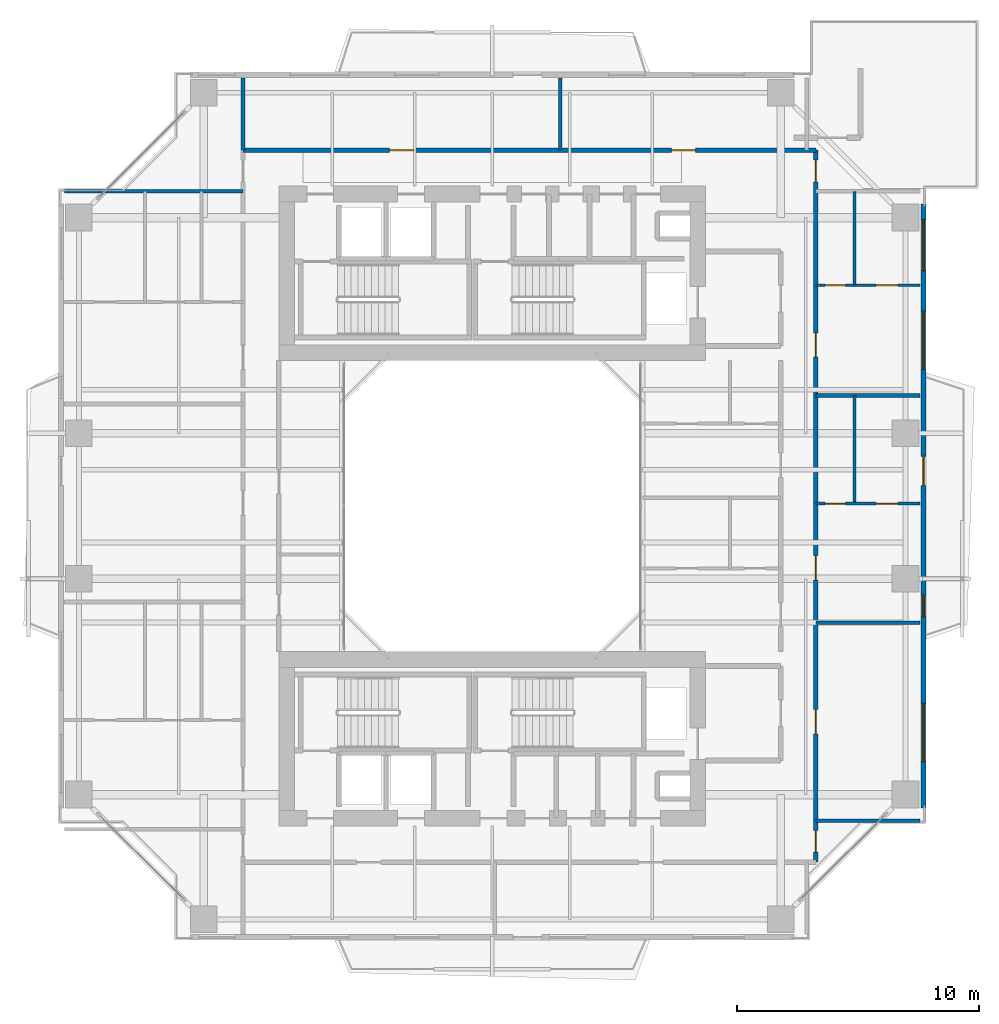
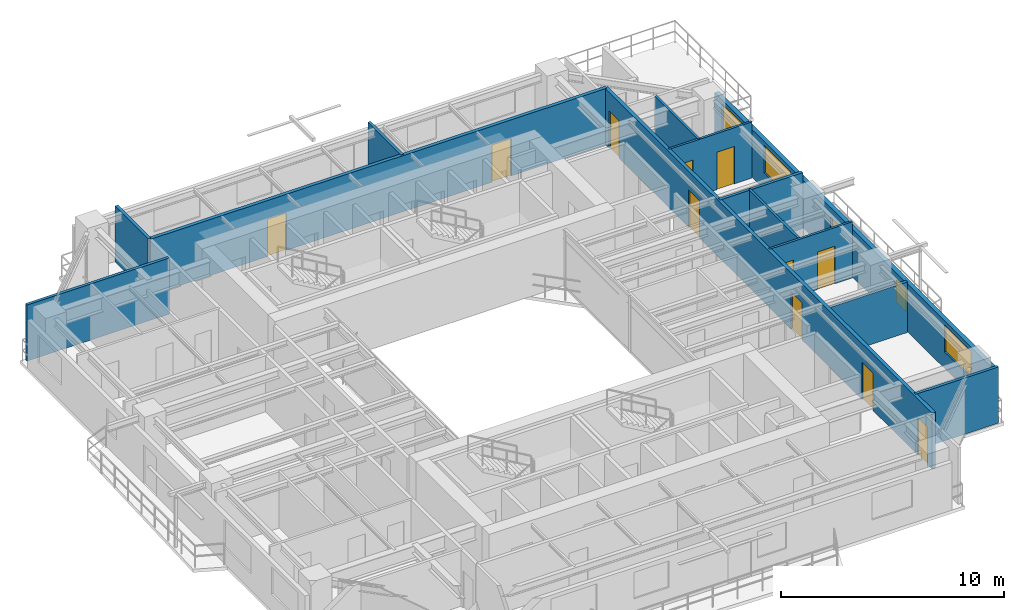
# One storey, part 13 of 17: 13 walls, 12 doors, 4 windows, 16 openings.
"""IFC4 building model written with IfcOpenShell, lengths in metres."""

from ifc_helpers import new_model, si_unit, direction, frame, frame_2d, origin, place, context, subcontext, project, spatial, rectangle, extrude, source, transform, mapped, material, layer, layer_set, type_object, element, fill, save


model = new_model("IFC4")

# Units and contexts
model_context = context("Model", 3, precision=1e-05, world=origin(), true_north=direction((0.0, 1.0)))
body_context = subcontext(model_context, "Body", "Model", "MODEL_VIEW")
ifc_project = project(units=[si_unit("LENGTHUNIT", "METRE"), si_unit("AREAUNIT", "SQUARE_METRE"), si_unit("VOLUMEUNIT", "CUBIC_METRE"), si_unit("PLANEANGLEUNIT", "RADIAN"), si_unit("MASSUNIT", "GRAM", prefix="KILO"), si_unit("THERMODYNAMICTEMPERATUREUNIT", "KELVIN"), si_unit("POWERUNIT", "WATT")], contexts=[model_context])

# Site, building, storey
site_placement = place(None, origin())
site = spatial("IfcSite", under=ifc_project, at=site_placement, CompositionType="ELEMENT")
building_placement = place(site_placement, origin())
building = spatial("IfcBuilding", under=site, at=building_placement, Name="Qiaomeng Ring Towers", CompositionType="ELEMENT")
storey_placement = place(building_placement, frame((0.0, 0.0, 123.0)))
storey = spatial("IfcBuildingStorey", under=building, at=storey_placement, Name="L35", CompositionType="ELEMENT", Elevation=123.0)

# Wall, openings, windows, door
ifc_material_1 = material(Name="Precast concrete C40", Category="concrete")
ifc_layer_1 = layer(ifc_material_1, 0.219970703125, Name="Precast concrete C40")
ifc_layer_set_1 = layer_set([ifc_layer_1], Name="Precast concrete C40")
wall_type_1 = type_object("IfcWallType", Name="ARC-WL-EW2", PredefinedType="STANDARD", material=ifc_layer_set_1)
wall_1_placement = place(storey_placement, frame((36.7900390625, 10.550048828125, 0.0), z_axis=(0.0, 0.0, 1.0), x_axis=(0.0, 1.0, 0.0)))
wall_1 = element("IfcWall", 1, at=wall_1_placement, inside=storey, type_object=wall_type_1, Name="L35 Tower 1 E Exterior Wall", PredefinedType="STANDARD", context=body_context, shape_type="SweptSolid", body=[
    extrude(rectangle(XDim=24.89990234375, YDim=0.219970703125, at=frame_2d((12.449951171875, 0.0))), origin(), (0.0, 0.0, 1.0), 2.610107421875),
])
opening_1_placement = place(wall_1_placement, frame((13.300048828125, 0.0, 0.0)))
opening_1 = element("IfcOpeningElement", 2, at=opening_1_placement, cuts=wall_1, Name="Opening BD1", PredefinedType="OPENING", context=body_context, shape_type="SweptSolid", body=[
    extrude(rectangle(XDim=1.199951171875, YDim=2.10009765625, at=frame_2d((0.60009765625, 1.050048828125))), frame((0.0, 0.119873046875, 0.0), z_axis=(0.0, -1.0, 0.0), x_axis=(1.0, 0.0, 0.0)), (0.0, 0.0, 1.0), 0.239990234375),
])
opening_2_placement = place(wall_1_placement, frame((1.912109375, 0.0, 0.89990234375)))
opening_2 = element("IfcOpeningElement", 3, at=opening_2_placement, cuts=wall_1, Name="Opening WN6", PredefinedType="OPENING", context=body_context, shape_type="SweptSolid", body=[
    extrude(rectangle(XDim=2.39990234375, YDim=1.47998046875, at=frame_2d((1.199951171875, 0.739990234375))), frame((0.0, 0.119873046875, 0.0), z_axis=(0.0, -1.0, 0.0), x_axis=(1.0, 0.0, 0.0)), (0.0, 0.0, 1.0), 0.239990234375),
])
opening_3_placement = place(wall_1_placement, frame((22.1650390625, 0.0, 0.89990234375)))
opening_3 = element("IfcOpeningElement", 4, at=opening_3_placement, cuts=wall_1, Name="Opening WN4", PredefinedType="OPENING", context=body_context, shape_type="SweptSolid", body=[
    extrude(rectangle(XDim=2.10009765625, YDim=1.5, at=frame_2d((1.050048828125, 0.75))), frame((0.0, 0.119873046875, 0.0), z_axis=(0.0, -1.0, 0.0), x_axis=(1.0, 0.0, 0.0)), (0.0, 0.0, 1.0), 0.239990234375),
])
opening_4_placement = place(wall_1_placement, frame((18.092529296875, 0.0, 0.89990234375)))
opening_4 = element("IfcOpeningElement", 5, at=opening_4_placement, cuts=wall_1, Name="Opening WN6", PredefinedType="OPENING", context=body_context, shape_type="SweptSolid", body=[
    extrude(rectangle(XDim=2.39990234375, YDim=1.5, at=frame_2d((1.199951171875, 0.75))), frame((0.0, 0.119873046875, 0.0), z_axis=(0.0, -1.0, 0.0), x_axis=(1.0, 0.0, 0.0)), (0.0, 0.0, 1.0), 0.239990234375),
])
opening_5_placement = place(wall_1_placement, frame((7.875, 0.0, 0.89990234375)))
opening_5 = element("IfcOpeningElement", 6, at=opening_5_placement, cuts=wall_1, Name="Opening WN5", PredefinedType="OPENING", context=body_context, shape_type="SweptSolid", body=[
    extrude(rectangle(XDim=0.89990234375, YDim=1.199951171875, at=frame_2d((0.449951171875, 0.60009765625))), frame((0.0, 0.119873046875, 0.0), z_axis=(0.0, -1.0, 0.0), x_axis=(1.0, 0.0, 0.0)), (0.0, 0.0, 1.0), 0.239990234375),
])
ifc_material_2 = material(Name="Low-E dark-grey laminated double glazing", Category="glass")
window_type_1 = type_object("IfcWindowType", Name="ARC-WN-4", PartitioningType="TRIPLE_PANEL_VERTICAL", PredefinedType="WINDOW", material=ifc_material_2)
shared_shape_1 = source(origin(), body_context, "Body", "SweptSolid", [
    extrude(rectangle(XDim=2.10009765625, YDim=1.5, at=frame_2d((1.050048828125, 0.75))), frame((0.0, 0.030029296875, 0.0), z_axis=(0.0, -1.0, 0.0), x_axis=(1.0, 0.0, 0.0)), (0.0, 0.0, 1.0), 0.06005859375),
])
window_1_placement = place(opening_3_placement, origin())
window_1 = element("IfcWindow", 7, at=window_1_placement, inside=storey, type_object=window_type_1, Name="L35 Exterior Window WN4", OverallHeight=1.5, OverallWidth=2.10009765625, PartitioningType="TRIPLE_PANEL_VERTICAL", PredefinedType="WINDOW", context=body_context, shape_type="MappedRepresentation", body=[
    mapped(shared_shape_1, transform((0.0, 0.0, 0.0), x_axis=(1.0, 0.0, 0.0), y_axis=(0.0, 1.0, 0.0), z_axis=(0.0, 0.0, 1.0), scale=1.0)),
])
fill(opening_3, window_1)
window_type_2 = type_object("IfcWindowType", Name="ARC-WN-6", PartitioningType="TRIPLE_PANEL_VERTICAL", PredefinedType="WINDOW", material=ifc_material_2)
shared_shape_2 = source(origin(), body_context, "Body", "SweptSolid", [
    extrude(rectangle(XDim=2.39990234375, YDim=1.47998046875, at=frame_2d((1.199951171875, 0.739990234375))), frame((0.0, 0.030029296875, 0.0), z_axis=(0.0, -1.0, 0.0), x_axis=(1.0, 0.0, 0.0)), (0.0, 0.0, 1.0), 0.06005859375),
])
window_2_placement = place(opening_2_placement, origin())
window_2 = element("IfcWindow", 8, at=window_2_placement, inside=storey, type_object=window_type_2, Name="L35 Exterior Window WN6", OverallHeight=1.47998046875, OverallWidth=2.39990234375, PartitioningType="TRIPLE_PANEL_VERTICAL", PredefinedType="WINDOW", context=body_context, shape_type="MappedRepresentation", body=[
    mapped(shared_shape_2, transform((0.0, 0.0, 0.0), x_axis=(1.0, 0.0, 0.0), y_axis=(0.0, 1.0, 0.0), z_axis=(0.0, 0.0, 1.0), scale=1.0)),
])
fill(opening_2, window_2)
door_type_1 = type_object("IfcDoorType", Name="ARC-DR-BD1", OperationType="NOTDEFINED", PredefinedType="DOOR", material=ifc_material_2)
shared_shape_3 = source(origin(), body_context, "Body", "SweptSolid", [
    extrude(rectangle(XDim=1.199951171875, YDim=2.10009765625, at=frame_2d((0.60009765625, 1.050048828125))), frame((0.0, 0.02490234375, 0.0), z_axis=(0.0, -1.0, 0.0), x_axis=(1.0, 0.0, 0.0)), (0.0, 0.0, 1.0), 0.050048828125),
])
door_1_placement = place(opening_1_placement, origin())
door_1 = element("IfcDoor", 9, at=door_1_placement, inside=storey, type_object=door_type_1, Name="L35 E Balcony Glazed Door", OperationType="SINGLE_SWING_LEFT", OverallHeight=2.10009765625, OverallWidth=1.199951171875, PredefinedType="DOOR", context=body_context, shape_type="MappedRepresentation", body=[
    mapped(shared_shape_3, transform((0.0, 0.0, 0.0), x_axis=(1.0, 0.0, 0.0), y_axis=(0.0, 1.0, 0.0), z_axis=(0.0, 0.0, 1.0), scale=1.0)),
])
fill(opening_1, door_1)
shared_shape_4 = source(origin(), body_context, "Body", "SweptSolid", [
    extrude(rectangle(XDim=2.39990234375, YDim=1.5, at=frame_2d((1.199951171875, 0.75))), frame((0.0, 0.030029296875, 0.0), z_axis=(0.0, -1.0, 0.0), x_axis=(1.0, 0.0, 0.0)), (0.0, 0.0, 1.0), 0.06005859375),
])
window_3_placement = place(opening_4_placement, origin())
window_3 = element("IfcWindow", 10, at=window_3_placement, inside=storey, type_object=window_type_2, Name="L35 Exterior Window WN6", OverallHeight=1.5, OverallWidth=2.39990234375, PartitioningType="TRIPLE_PANEL_VERTICAL", PredefinedType="WINDOW", context=body_context, shape_type="MappedRepresentation", body=[
    mapped(shared_shape_4, transform((0.0, 0.0, 0.0), x_axis=(1.0, 0.0, 0.0), y_axis=(0.0, 1.0, 0.0), z_axis=(0.0, 0.0, 1.0), scale=1.0)),
])
fill(opening_4, window_3)
window_type_3 = type_object("IfcWindowType", Name="ARC-WN-5", PartitioningType="SINGLE_PANEL", PredefinedType="WINDOW", material=ifc_material_2)
shared_shape_5 = source(origin(), body_context, "Body", "SweptSolid", [
    extrude(rectangle(XDim=0.89990234375, YDim=1.199951171875, at=frame_2d((0.449951171875, 0.60009765625))), frame((0.0, 0.030029296875, 0.0), z_axis=(0.0, -1.0, 0.0), x_axis=(1.0, 0.0, 0.0)), (0.0, 0.0, 1.0), 0.06005859375),
])
window_4_placement = place(opening_5_placement, origin())
window_4 = element("IfcWindow", 11, at=window_4_placement, inside=storey, type_object=window_type_3, Name="L35 Exterior Window WN5", OverallHeight=1.199951171875, OverallWidth=0.89990234375, PartitioningType="SINGLE_PANEL", PredefinedType="WINDOW", context=body_context, shape_type="MappedRepresentation", body=[
    mapped(shared_shape_5, transform((0.0, 0.0, 0.0), x_axis=(1.0, 0.0, 0.0), y_axis=(0.0, 1.0, 0.0), z_axis=(0.0, 0.0, 1.0), scale=1.0)),
])
fill(opening_5, window_4)

# Wall, openings, doors
ifc_material_3 = material(Name="Autoclaved aerated concrete block", Category="concrete")
ifc_layer_2 = layer(ifc_material_3, 0.179931640625, Name="Autoclaved aerated concrete block")
ifc_layer_set_2 = layer_set([ifc_layer_2], Name="Autoclaved aerated concrete block")
wall_type_2 = type_object("IfcWallType", Name="ARC-WL-PW2", PredefinedType="PARTITIONING", material=ifc_layer_set_2)
wall_2_placement = place(storey_placement, frame((8.719970703125, 37.679931640625, 0.0), z_axis=(0.0, 0.0, 1.0), x_axis=(1.0, 0.0, 0.0)))
wall_2 = element("IfcWall", 12, at=wall_2_placement, inside=storey, type_object=wall_type_2, Name="L35 Interior Wall PW2", PredefinedType="PARTITIONING", context=body_context, shape_type="SweptSolid", body=[
    extrude(rectangle(XDim=23.630126953125, YDim=0.179931640625, at=frame_2d((11.81494140625, 0.0))), origin(), (0.0, 0.0, 1.0), 3.070068359375),
])
opening_6_placement = place(wall_2_placement, frame((6.0400390625, 0.0, 0.0)))
opening_6 = element("IfcOpeningElement", 13, at=opening_6_placement, cuts=wall_2, Name="Opening FD4", PredefinedType="OPENING", context=body_context, shape_type="SweptSolid", body=[
    extrude(rectangle(XDim=1.0, YDim=2.050048828125, at=frame_2d((0.5, 1.02490234375))), frame((0.0, 0.099853515625, 0.0), z_axis=(0.0, -1.0, 0.0), x_axis=(1.0, 0.0, 0.0)), (0.0, 0.0, 1.0), 0.199951171875),
])
opening_7_placement = place(wall_2_placement, frame((17.669921875, 0.0, 0.0)))
opening_7 = element("IfcOpeningElement", 14, at=opening_7_placement, cuts=wall_2, Name="Opening FD4", PredefinedType="OPENING", context=body_context, shape_type="SweptSolid", body=[
    extrude(rectangle(XDim=1.0, YDim=2.050048828125, at=frame_2d((0.5, 1.02490234375))), frame((0.0, 0.099853515625, 0.0), z_axis=(0.0, -1.0, 0.0), x_axis=(1.0, 0.0, 0.0)), (0.0, 0.0, 1.0), 0.199951171875),
])
ifc_material_4 = material(Name="Engineered fire-rated oak timber", Category="wood")
door_type_2 = type_object("IfcDoorType", Name="ARC-DR-FD4", OperationType="NOTDEFINED", PredefinedType="DOOR", material=ifc_material_4)
shared_shape_6 = source(origin(), body_context, "Body", "SweptSolid", [
    extrude(rectangle(XDim=1.0, YDim=2.050048828125, at=frame_2d((0.5, 1.02490234375))), frame((0.0, 0.02490234375, 0.0), z_axis=(0.0, -1.0, 0.0), x_axis=(1.0, 0.0, 0.0)), (0.0, 0.0, 1.0), 0.050048828125),
])
door_2_placement = place(opening_6_placement, origin())
door_2 = element("IfcDoor", 15, at=door_2_placement, inside=storey, type_object=door_type_2, Name="L35 Door FD4", OperationType="SINGLE_SWING_RIGHT", OverallHeight=2.050048828125, OverallWidth=1.0, PredefinedType="DOOR", context=body_context, shape_type="MappedRepresentation", body=[
    mapped(shared_shape_6, transform((0.0, 0.0, 0.0), x_axis=(1.0, 0.0, 0.0), y_axis=(0.0, 1.0, 0.0), z_axis=(0.0, 0.0, 1.0), scale=1.0)),
])
fill(opening_6, door_2)
door_3_placement = place(opening_7_placement, origin())
door_3 = element("IfcDoor", 16, at=door_3_placement, inside=storey, type_object=door_type_2, Name="L35 Door FD4", OperationType="SINGLE_SWING_LEFT", OverallHeight=2.050048828125, OverallWidth=1.0, PredefinedType="DOOR", context=body_context, shape_type="MappedRepresentation", body=[
    mapped(shared_shape_6, transform((0.0, 0.0, 0.0), x_axis=(1.0, 0.0, 0.0), y_axis=(0.0, 1.0, 0.0), z_axis=(0.0, 0.0, 1.0), scale=1.0)),
])
fill(opening_7, door_3)

wall_3_placement = place(storey_placement, frame((32.35009765625, 8.31005859375, 0.0), z_axis=(0.0, 0.0, 1.0), x_axis=(0.0, 1.0, 0.0)))
wall_3 = element("IfcWall", 17, at=wall_3_placement, inside=storey, type_object=wall_type_2, Name="L35 Interior Wall PW2", PredefinedType="PARTITIONING", context=body_context, shape_type="SweptSolid", body=[
    extrude(rectangle(XDim=29.369873046875, YDim=0.179931640625, at=frame_2d((14.68505859375, 0.0))), origin(), (0.0, 0.0, 1.0), 3.070068359375),
])
opening_8_placement = place(wall_3_placement, frame((28.06005859375, 0.0, 0.0)))
opening_8 = element("IfcOpeningElement", 18, at=opening_8_placement, cuts=wall_3, Name="Opening ID1", PredefinedType="OPENING", context=body_context, shape_type="SweptSolid", body=[
    extrude(rectangle(XDim=0.89990234375, YDim=2.050048828125, at=frame_2d((0.449951171875, 1.02490234375))), frame((0.0, 0.099853515625, 0.0), z_axis=(0.0, -1.0, 0.0), x_axis=(1.0, 0.0, 0.0)), (0.0, 0.0, 1.0), 0.199951171875),
])
opening_9_placement = place(wall_3_placement, frame((0.4150390625, 0.0, 0.0)))
opening_9 = element("IfcOpeningElement", 19, at=opening_9_placement, cuts=wall_3, Name="Opening ID1", PredefinedType="OPENING", context=body_context, shape_type="SweptSolid", body=[
    extrude(rectangle(XDim=0.89990234375, YDim=2.050048828125, at=frame_2d((0.449951171875, 1.02490234375))), frame((0.0, 0.099853515625, 0.0), z_axis=(0.0, -1.0, 0.0), x_axis=(1.0, 0.0, 0.0)), (0.0, 0.0, 1.0), 0.199951171875),
])
opening_10_placement = place(wall_3_placement, frame((5.294921875, 0.0, 0.0)))
opening_10 = element("IfcOpeningElement", 20, at=opening_10_placement, cuts=wall_3, Name="Opening FD4", PredefinedType="OPENING", context=body_context, shape_type="SweptSolid", body=[
    extrude(rectangle(XDim=1.0, YDim=2.050048828125, at=frame_2d((0.5, 1.02490234375))), frame((0.0, 0.099853515625, 0.0), z_axis=(0.0, -1.0, 0.0), x_axis=(1.0, 0.0, 0.0)), (0.0, 0.0, 1.0), 0.199951171875),
])
opening_11_placement = place(wall_3_placement, frame((11.64501953125, 0.0, 0.0)))
opening_11 = element("IfcOpeningElement", 21, at=opening_11_placement, cuts=wall_3, Name="Opening FD4", PredefinedType="OPENING", context=body_context, shape_type="SweptSolid", body=[
    extrude(rectangle(XDim=1.0, YDim=2.050048828125, at=frame_2d((0.5, 1.02490234375))), frame((0.0, 0.099853515625, 0.0), z_axis=(0.0, -1.0, 0.0), x_axis=(1.0, 0.0, 0.0)), (0.0, 0.0, 1.0), 0.199951171875),
])
opening_12_placement = place(wall_3_placement, frame((20.8349609375, 0.0, 0.0)))
opening_12 = element("IfcOpeningElement", 22, at=opening_12_placement, cuts=wall_3, Name="Opening FD4", PredefinedType="OPENING", context=body_context, shape_type="SweptSolid", body=[
    extrude(rectangle(XDim=1.0, YDim=2.050048828125, at=frame_2d((0.5, 1.02490234375))), frame((0.0, 0.099853515625, 0.0), z_axis=(0.0, -1.0, 0.0), x_axis=(1.0, 0.0, 0.0)), (0.0, 0.0, 1.0), 0.199951171875),
])
door_4_placement = place(opening_10_placement, origin())
door_4 = element("IfcDoor", 23, at=door_4_placement, inside=storey, type_object=door_type_2, Name="L35 Door FD4", OperationType="SINGLE_SWING_LEFT", OverallHeight=2.050048828125, OverallWidth=1.0, PredefinedType="DOOR", context=body_context, shape_type="MappedRepresentation", body=[
    mapped(shared_shape_6, transform((0.0, 0.0, 0.0), x_axis=(1.0, 0.0, 0.0), y_axis=(0.0, 1.0, 0.0), z_axis=(0.0, 0.0, 1.0), scale=1.0)),
])
fill(opening_10, door_4)
door_5_placement = place(opening_11_placement, origin())
door_5 = element("IfcDoor", 24, at=door_5_placement, inside=storey, type_object=door_type_2, Name="L35 Door FD4", OperationType="SINGLE_SWING_RIGHT", OverallHeight=2.050048828125, OverallWidth=1.0, PredefinedType="DOOR", context=body_context, shape_type="MappedRepresentation", body=[
    mapped(shared_shape_6, transform((0.0, 0.0, 0.0), x_axis=(1.0, 0.0, 0.0), y_axis=(0.0, 1.0, 0.0), z_axis=(0.0, 0.0, 1.0), scale=1.0)),
])
fill(opening_11, door_5)
door_6_placement = place(opening_12_placement, origin())
door_6 = element("IfcDoor", 25, at=door_6_placement, inside=storey, type_object=door_type_2, Name="L35 Door FD4", OperationType="SINGLE_SWING_LEFT", OverallHeight=2.050048828125, OverallWidth=1.0, PredefinedType="DOOR", context=body_context, shape_type="MappedRepresentation", body=[
    mapped(shared_shape_6, transform((0.0, 0.0, 0.0), x_axis=(1.0, 0.0, 0.0), y_axis=(0.0, 1.0, 0.0), z_axis=(0.0, 0.0, 1.0), scale=1.0)),
])
fill(opening_12, door_6)
ifc_material_5 = material(Name="Engineered oak timber", Category="wood")
door_type_3 = type_object("IfcDoorType", Name="ARC-DR-ID1", OperationType="NOTDEFINED", PredefinedType="DOOR", material=ifc_material_5)
shared_shape_7 = source(origin(), body_context, "Body", "SweptSolid", [
    extrude(rectangle(XDim=0.89990234375, YDim=2.050048828125, at=frame_2d((0.449951171875, 1.02490234375))), frame((0.0, 0.02490234375, 0.0), z_axis=(0.0, -1.0, 0.0), x_axis=(1.0, 0.0, 0.0)), (0.0, 0.0, 1.0), 0.050048828125),
])
door_7_placement = place(opening_8_placement, origin())
door_7 = element("IfcDoor", 26, at=door_7_placement, inside=storey, type_object=door_type_3, Name="L35 Door ID1", OperationType="SINGLE_SWING_LEFT", OverallHeight=2.050048828125, OverallWidth=0.89990234375, PredefinedType="DOOR", context=body_context, shape_type="MappedRepresentation", body=[
    mapped(shared_shape_7, transform((0.0, 0.0, 0.0), x_axis=(1.0, 0.0, 0.0), y_axis=(0.0, 1.0, 0.0), z_axis=(0.0, 0.0, 1.0), scale=1.0)),
])
fill(opening_8, door_7)
door_8_placement = place(opening_9_placement, origin())
door_8 = element("IfcDoor", 27, at=door_8_placement, inside=storey, type_object=door_type_3, Name="L35 Door ID1", OperationType="SINGLE_SWING_RIGHT", OverallHeight=2.050048828125, OverallWidth=0.89990234375, PredefinedType="DOOR", context=body_context, shape_type="MappedRepresentation", body=[
    mapped(shared_shape_7, transform((0.0, 0.0, 0.0), x_axis=(1.0, 0.0, 0.0), y_axis=(0.0, 1.0, 0.0), z_axis=(0.0, 0.0, 1.0), scale=1.0)),
])
fill(opening_9, door_8)

# Walls
ifc_material_6 = material(Name="Gypsum fireboard steel-stud partition", Category="steel")
ifc_layer_3 = layer(ifc_material_6, 0.14990234375, Name="Gypsum fireboard steel-stud partition")
ifc_layer_set_3 = layer_set([ifc_layer_3], Name="Gypsum fireboard steel-stud partition")
wall_type_3 = type_object("IfcWallType", Name="ARC-WL-PW3", PredefinedType="PARTITIONING", material=ifc_layer_set_3)
for number, where, z_axis, x_axis, name in (
    (28, (21.800048828125, 37.679931640625, 0.0), (0.0, 0.0, 1.0), (0.0, 1.0, 0.0), "L35 Interior Wall PW3"),
    (29, (8.719970703125, 37.679931640625, 0.0), (0.0, 0.0, 1.0), (0.0, 1.0, 0.0), "L35 Interior Wall PW3"),
):
    element("IfcWall", number, at=place(storey_placement, frame(where, z_axis=z_axis, x_axis=x_axis)), inside=storey, type_object=wall_type_3, Name=name, PredefinedType="PARTITIONING", context=body_context, shape_type="SweptSolid", body=[
        extrude(rectangle(XDim=2.969970703125, YDim=0.14990234375, at=frame_2d((1.48486328125, 0.0))), origin(), (0.0, 0.0, 1.0), 3.070068359375),
    ])
wall_4_placement = place(storey_placement, frame((1.35009765625, 35.97998046875, 0.0), z_axis=(0.0, 0.0, 1.0), x_axis=(1.0, 0.0, 0.0)))
element("IfcWall", 30, at=wall_4_placement, inside=storey, type_object=wall_type_3, Name="L35 Interior Wall PW3", PredefinedType="PARTITIONING", context=body_context, shape_type="SweptSolid", body=[
    extrude(rectangle(XDim=7.369873046875, YDim=0.14990234375, at=frame_2d((3.68505859375, 0.0))), origin(), (0.0, 0.0, 1.0), 3.070068359375),
])
wall_5_placement = place(storey_placement, frame((32.35009765625, 10.02001953125, 0.0), z_axis=(0.0, 0.0, 1.0), x_axis=(1.0, 0.0, 0.0)))
element("IfcWall", 31, at=wall_5_placement, inside=storey, type_object=wall_type_3, Name="L35 Interior Wall PW3", PredefinedType="PARTITIONING", context=body_context, shape_type="SweptSolid", body=[
    extrude(rectangle(XDim=4.2998046875, YDim=0.14990234375, at=frame_2d((2.14990234375, 0.0))), origin(), (0.0, 0.0, 1.0), 3.070068359375),
])
wall_6_placement = place(storey_placement, frame((32.35009765625, 18.18994140625, 0.0), z_axis=(0.0, 0.0, 1.0), x_axis=(1.0, 0.0, 0.0)))
element("IfcWall", 32, at=wall_6_placement, inside=storey, type_object=wall_type_3, Name="L35 Interior Wall PW3", PredefinedType="PARTITIONING", context=body_context, shape_type="SweptSolid", body=[
    extrude(rectangle(XDim=4.2998046875, YDim=0.14990234375, at=frame_2d((2.14990234375, 0.0))), origin(), (0.0, 0.0, 1.0), 2.77099609375),
])
wall_7_placement = place(storey_placement, frame((32.35009765625, 27.56005859375, 0.0), z_axis=(0.0, 0.0, 1.0), x_axis=(1.0, 0.0, 0.0)))
element("IfcWall", 33, at=wall_7_placement, inside=storey, type_object=wall_type_3, Name="L35 Interior Wall PW3", PredefinedType="PARTITIONING", context=body_context, shape_type="SweptSolid", body=[
    extrude(rectangle(XDim=4.2998046875, YDim=0.14990234375, at=frame_2d((2.14990234375, 0.0))), origin(), (0.0, 0.0, 1.0), 3.070068359375),
])

# Wall, openings, doors
ifc_material_7 = material(Name="Moisture-resistant gypsum steel-stud partition", Category="steel")
ifc_layer_4 = layer(ifc_material_7, 0.1201171875, Name="Moisture-resistant gypsum steel-stud partition")
ifc_layer_set_4 = layer_set([ifc_layer_4], Name="Moisture-resistant gypsum steel-stud partition")
wall_type_4 = type_object("IfcWallType", Name="ARC-WL-PW4", PredefinedType="PLUMBINGWALL", material=ifc_layer_set_4)
wall_8_placement = place(storey_placement, frame((32.35009765625, 23.10009765625, 0.0), z_axis=(0.0, 0.0, 1.0), x_axis=(1.0, 0.0, 0.0)))
wall_8 = element("IfcWall", 34, at=wall_8_placement, inside=storey, type_object=wall_type_4, Name="L35 Interior Wall PW4", PredefinedType="PLUMBINGWALL", context=body_context, shape_type="SweptSolid", body=[
    extrude(rectangle(XDim=4.2998046875, YDim=0.1201171875, at=frame_2d((2.14990234375, 0.0))), origin(), (0.0, 0.0, 1.0), 3.070068359375),
])
opening_13_placement = place(wall_8_placement, frame((0.3798828125, 0.0, 0.0)))
opening_13 = element("IfcOpeningElement", 35, at=opening_13_placement, cuts=wall_8, Name="Opening ID2", PredefinedType="OPENING", context=body_context, shape_type="SweptSolid", body=[
    extrude(rectangle(XDim=0.85009765625, YDim=2.050048828125, at=frame_2d((0.425048828125, 1.02490234375))), frame((0.0, 0.070068359375, 0.0), z_axis=(0.0, -1.0, 0.0), x_axis=(1.0, 0.0, 0.0)), (0.0, 0.0, 1.0), 0.14013671875),
])
opening_14_placement = place(wall_8_placement, frame((2.485107421875, 0.0, 0.0)))
opening_14 = element("IfcOpeningElement", 36, at=opening_14_placement, cuts=wall_8, Name="Opening ID1", PredefinedType="OPENING", context=body_context, shape_type="SweptSolid", body=[
    extrude(rectangle(XDim=0.89990234375, YDim=2.050048828125, at=frame_2d((0.449951171875, 1.02490234375))), frame((0.0, 0.070068359375, 0.0), z_axis=(0.0, -1.0, 0.0), x_axis=(1.0, 0.0, 0.0)), (0.0, 0.0, 1.0), 0.14013671875),
])
ifc_material_8 = material(Name="Moisture-resistant engineered timber", Category="wood")
door_type_4 = type_object("IfcDoorType", Name="ARC-DR-ID2", OperationType="NOTDEFINED", PredefinedType="DOOR", material=ifc_material_8)
shared_shape_8 = source(origin(), body_context, "Body", "SweptSolid", [
    extrude(rectangle(XDim=0.85009765625, YDim=2.050048828125, at=frame_2d((0.425048828125, 1.02490234375))), frame((0.0, 0.02490234375, 0.0), z_axis=(0.0, -1.0, 0.0), x_axis=(1.0, 0.0, 0.0)), (0.0, 0.0, 1.0), 0.050048828125),
])
door_9_placement = place(opening_13_placement, origin())
door_9 = element("IfcDoor", 37, at=door_9_placement, inside=storey, type_object=door_type_4, Name="L35 Door ID2", OperationType="SINGLE_SWING_RIGHT", OverallHeight=2.050048828125, OverallWidth=0.85009765625, PredefinedType="DOOR", context=body_context, shape_type="MappedRepresentation", body=[
    mapped(shared_shape_8, transform((0.0, 0.0, 0.0), x_axis=(1.0, 0.0, 0.0), y_axis=(0.0, 1.0, 0.0), z_axis=(0.0, 0.0, 1.0), scale=1.0)),
])
fill(opening_13, door_9)
door_10_placement = place(opening_14_placement, origin())
door_10 = element("IfcDoor", 38, at=door_10_placement, inside=storey, type_object=door_type_3, Name="L35 Door ID1", OperationType="SINGLE_SWING_LEFT", OverallHeight=2.050048828125, OverallWidth=0.89990234375, PredefinedType="DOOR", context=body_context, shape_type="MappedRepresentation", body=[
    mapped(shared_shape_7, transform((0.0, 0.0, 0.0), x_axis=(1.0, 0.0, 0.0), y_axis=(0.0, 1.0, 0.0), z_axis=(0.0, 0.0, 1.0), scale=1.0)),
])
fill(opening_14, door_10)

# Wall
wall_9_placement = place(storey_placement, frame((33.93994140625, 23.10009765625, 0.0), z_axis=(0.0, 0.0, 1.0), x_axis=(0.0, 1.0, 0.0)))
element("IfcWall", 39, at=wall_9_placement, inside=storey, type_object=wall_type_4, Name="L35 Interior Wall PW4", PredefinedType="PLUMBINGWALL", context=body_context, shape_type="SweptSolid", body=[
    extrude(rectangle(XDim=4.4599609375, YDim=0.1201171875, at=frame_2d((2.22998046875, 0.0))), origin(), (0.0, 0.0, 1.0), 3.070068359375),
])

# Wall, openings, doors
wall_10_placement = place(storey_placement, frame((32.35009765625, 32.110107421875, 0.0), z_axis=(0.0, 0.0, 1.0), x_axis=(1.0, 0.0, 0.0)))
wall_10 = element("IfcWall", 40, at=wall_10_placement, inside=storey, type_object=wall_type_4, Name="L35 Interior Wall PW4", PredefinedType="PLUMBINGWALL", context=body_context, shape_type="SweptSolid", body=[
    extrude(rectangle(XDim=4.2998046875, YDim=0.1201171875, at=frame_2d((2.14990234375, 0.0))), origin(), (0.0, 0.0, 1.0), 3.070068359375),
])
opening_15_placement = place(wall_10_placement, frame((0.3798828125, 0.0, 0.0)))
opening_15 = element("IfcOpeningElement", 41, at=opening_15_placement, cuts=wall_10, Name="Opening ID2", PredefinedType="OPENING", context=body_context, shape_type="SweptSolid", body=[
    extrude(rectangle(XDim=0.85009765625, YDim=2.050048828125, at=frame_2d((0.425048828125, 1.02490234375))), frame((0.0, 0.070068359375, 0.0), z_axis=(0.0, -1.0, 0.0), x_axis=(1.0, 0.0, 0.0)), (0.0, 0.0, 1.0), 0.14013671875),
])
opening_16_placement = place(wall_10_placement, frame((2.485107421875, 0.0, 0.0)))
opening_16 = element("IfcOpeningElement", 42, at=opening_16_placement, cuts=wall_10, Name="Opening ID1", PredefinedType="OPENING", context=body_context, shape_type="SweptSolid", body=[
    extrude(rectangle(XDim=0.89990234375, YDim=2.050048828125, at=frame_2d((0.449951171875, 1.02490234375))), frame((0.0, 0.070068359375, 0.0), z_axis=(0.0, -1.0, 0.0), x_axis=(1.0, 0.0, 0.0)), (0.0, 0.0, 1.0), 0.14013671875),
])
door_11_placement = place(opening_15_placement, origin())
door_11 = element("IfcDoor", 43, at=door_11_placement, inside=storey, type_object=door_type_4, Name="L35 Door ID2", OperationType="SINGLE_SWING_LEFT", OverallHeight=2.050048828125, OverallWidth=0.85009765625, PredefinedType="DOOR", context=body_context, shape_type="MappedRepresentation", body=[
    mapped(shared_shape_8, transform((0.0, 0.0, 0.0), x_axis=(1.0, 0.0, 0.0), y_axis=(0.0, 1.0, 0.0), z_axis=(0.0, 0.0, 1.0), scale=1.0)),
])
fill(opening_15, door_11)
door_12_placement = place(opening_16_placement, origin())
door_12 = element("IfcDoor", 44, at=door_12_placement, inside=storey, type_object=door_type_3, Name="L35 Door ID1", OperationType="SINGLE_SWING_RIGHT", OverallHeight=2.050048828125, OverallWidth=0.89990234375, PredefinedType="DOOR", context=body_context, shape_type="MappedRepresentation", body=[
    mapped(shared_shape_7, transform((0.0, 0.0, 0.0), x_axis=(1.0, 0.0, 0.0), y_axis=(0.0, 1.0, 0.0), z_axis=(0.0, 0.0, 1.0), scale=1.0)),
])
fill(opening_16, door_12)

# Wall
wall_11_placement = place(storey_placement, frame((33.93994140625, 32.110107421875, 0.0), z_axis=(0.0, 0.0, 1.0), x_axis=(0.0, 1.0, 0.0)))
element("IfcWall", 45, at=wall_11_placement, inside=storey, type_object=wall_type_4, Name="L35 Interior Wall PW4", PredefinedType="PLUMBINGWALL", context=body_context, shape_type="SweptSolid", body=[
    extrude(rectangle(XDim=3.869873046875, YDim=0.1201171875, at=frame_2d((1.93505859375, 0.0))), origin(), (0.0, 0.0, 1.0), 3.070068359375),
])

save(model, "model.ifc")
